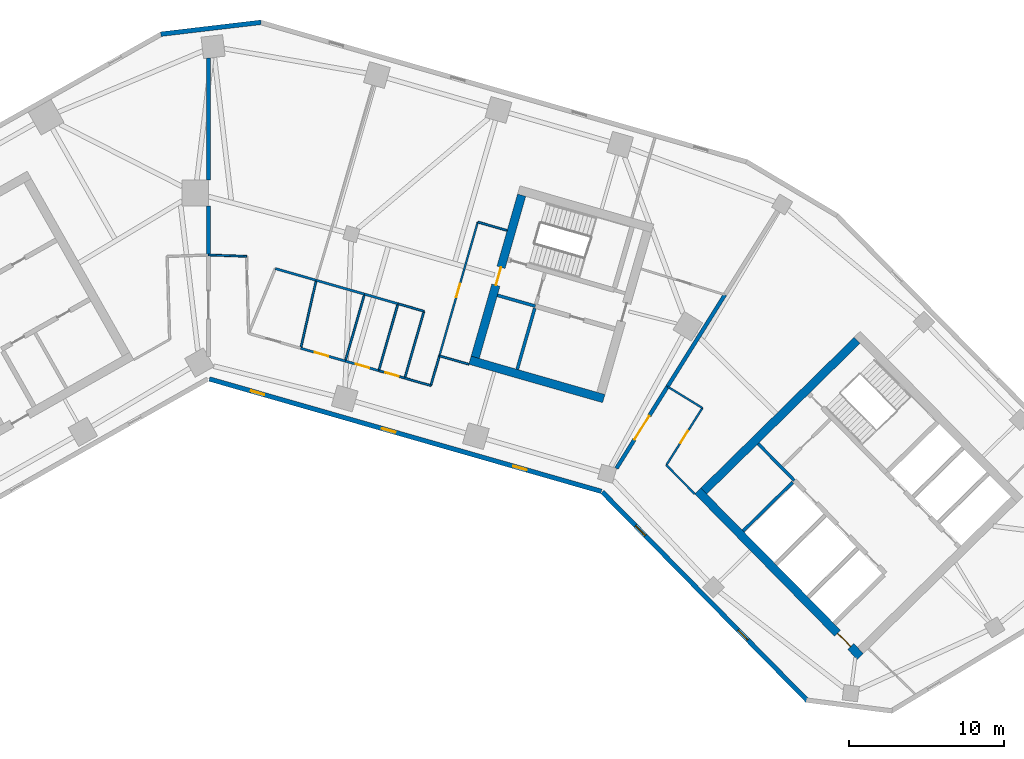
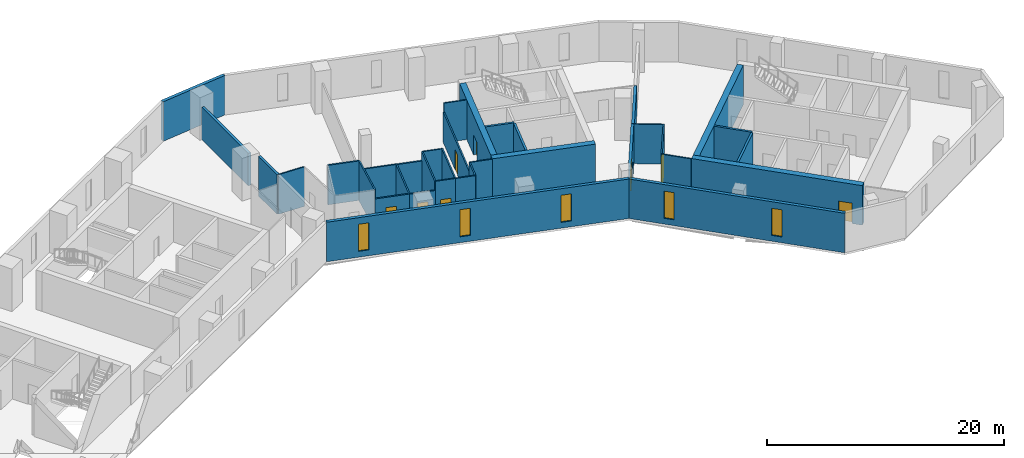
# One storey, part 5 of 10: 35 walls, 8 doors, 5 windows, 13 openings.
"""IFC4 building model written with IfcOpenShell, lengths in metres."""

from ifc_helpers import new_model, si_unit, direction, frame, frame_2d, origin, place, context, subcontext, project, spatial, rectangle, extrude, material, layer, layer_set, type_object, element, fill, save


model = new_model("IFC4")

# Units and contexts
model_context = context("Model", 3, precision=1e-05, world=origin(), true_north=direction((0.0, 1.0)))
body_context = subcontext(model_context, "Body", "Model", "MODEL_VIEW")
ifc_project = project(units=[si_unit("LENGTHUNIT", "METRE"), si_unit("AREAUNIT", "SQUARE_METRE"), si_unit("VOLUMEUNIT", "CUBIC_METRE"), si_unit("PLANEANGLEUNIT", "RADIAN"), si_unit("MASSUNIT", "GRAM", prefix="KILO")], contexts=[model_context])

# Site, building, storey
site_placement = place(None, origin())
site = spatial("IfcSite", under=ifc_project, at=site_placement, CompositionType="ELEMENT")
building_placement = place(site_placement, origin())
building = spatial("IfcBuilding", under=site, at=building_placement, Name="Binnacle Exchange Tower", CompositionType="ELEMENT")
storey_placement = place(building_placement, frame((0.0, 0.0, 119.10009765625)))
storey = spatial("IfcBuildingStorey", under=building, at=storey_placement, Name="L24", CompositionType="ELEMENT", Elevation=119.10009765625)

# Wall, opening, door
ifc_material_1 = material(Name="Concrete C70/85", Category="concrete")
ifc_layer_1 = layer(ifc_material_1, 0.550048828125)
ifc_layer_set_1 = layer_set([ifc_layer_1], Name="Core wall - outer 550")
wall_type_1 = type_object("IfcWallType", Name="Core wall - outer 550", PredefinedType="SOLIDWALL", material=ifc_layer_set_1)
wall_1_placement = place(storey_placement, frame((31.627685546875, 40.7451171875, 0.0), z_axis=(0.0, 0.0, 1.0), x_axis=(0.700911255944, -0.713248491965, 0.0)))
wall_1 = element("IfcWall", 1, at=wall_1_placement, inside=storey, type_object=wall_type_1, Name="Core wall CRWB1", PredefinedType="SOLIDWALL", context=body_context, shape_type="SweptSolid", body=[
    extrude(rectangle(XDim=15.0, YDim=0.550048828125, at=frame_2d((7.5, 0.0))), origin(), (0.0, 0.0, 1.0), 4.079833984375),
])
opening_1_placement = place(wall_1_placement, frame((12.89990234375, 0.0, 0.0)))
opening_1 = element("IfcOpeningElement", 2, at=opening_1_placement, cuts=wall_1, Name="Opening DB7", PredefinedType="OPENING", context=body_context, shape_type="SweptSolid", body=[
    extrude(rectangle(XDim=1.199951171875, YDim=2.10009765625, at=frame_2d((0.60009765625, 1.050048828125))), frame((0.0, 0.284912109375, 0.0), z_axis=(0.0, -1.0, 0.0), x_axis=(1.0, 0.0, 0.0)), (0.0, 0.0, 1.0), 0.570068359375),
])
ifc_material_2 = material(Name="Steel door leaf", Category="steel")
door_type_1 = type_object("IfcDoorType", Name="Fire door 1200", OperationType="NOTDEFINED", PredefinedType="DOOR", material=ifc_material_2)
door_1_placement = place(opening_1_placement, frame((1.199951171875, 0.0, 0.0), z_axis=(0.0, 0.0, 1.0), x_axis=(-1.0, 0.0, 0.0)))
door_1 = element("IfcDoor", 3, at=door_1_placement, inside=storey, type_object=door_type_1, Name="Lift lobby entrance door core B", OperationType="SINGLE_SWING_LEFT", OverallHeight=2.10009765625, OverallWidth=1.199951171875, PredefinedType="DOOR", context=body_context, shape_type="SweptSolid", body=[
    extrude(rectangle(XDim=1.199951171875, YDim=2.10009765625, at=frame_2d((0.60009765625, 1.050048828125))), frame((0.0, 0.02490234375, 0.0), z_axis=(0.0, -1.0, 0.0), x_axis=(1.0, 0.0, 0.0)), (0.0, 0.0, 1.0), 0.050048828125),
])
fill(opening_1, door_1)

# Walls
wall_2_placement = place(storey_placement, frame((32.0166015625, 40.74169921875, 0.0), z_axis=(0.0, 0.0, 1.0), x_axis=(0.713253550094, 0.700906108746, 0.0)))
element("IfcWall", 4, at=wall_2_placement, inside=storey, type_object=wall_type_1, Name="Core wall CRWB7", PredefinedType="SOLIDWALL", context=body_context, shape_type="SweptSolid", body=[
    extrude(rectangle(XDim=13.900146484375, YDim=0.550048828125, at=frame_2d((6.9501953125, 0.0))), origin(), (0.0, 0.0, 1.0), 4.079833984375),
])
wall_3_placement = place(storey_placement, frame((16.90380859375, 49.197265625, 0.0), z_axis=(0.0, 0.0, 1.0), x_axis=(0.96126248289, -0.275634611374, 0.0)))
element("IfcWall", 5, at=wall_3_placement, inside=storey, type_object=wall_type_1, Name="Core wall CRWD1", PredefinedType="SOLIDWALL", context=body_context, shape_type="SweptSolid", body=[
    extrude(rectangle(XDim=9.0, YDim=0.550048828125, at=frame_2d((4.5, 0.0))), origin(), (0.0, 0.0, 1.0), 4.079833984375),
])

# Wall, opening, door
wall_4_placement = place(storey_placement, frame((17.243896484375, 49.3857421875, 0.0), z_axis=(0.0, 0.0, 1.0), x_axis=(0.275632146085, 0.96126318979, 0.0)))
wall_4 = element("IfcWall", 6, at=wall_4_placement, inside=storey, type_object=wall_type_1, Name="Core wall CRWD7", PredefinedType="SOLIDWALL", context=body_context, shape_type="SweptSolid", body=[
    extrude(rectangle(XDim=10.89990234375, YDim=0.550048828125, at=frame_2d((5.449951171875, 0.0))), origin(), (0.0, 0.0, 1.0), 4.079833984375),
])
opening_2_placement = place(wall_4_placement, frame((4.85009765625, 0.0, 0.0)))
opening_2 = element("IfcOpeningElement", 7, at=opening_2_placement, cuts=wall_4, Name="Opening DD5", PredefinedType="OPENING", context=body_context, shape_type="SweptSolid", body=[
    extrude(rectangle(XDim=1.199951171875, YDim=2.10009765625, at=frame_2d((0.60009765625, 1.050048828125))), frame((0.0, 0.284912109375, 0.0), z_axis=(0.0, -1.0, 0.0), x_axis=(1.0, 0.0, 0.0)), (0.0, 0.0, 1.0), 0.570068359375),
])
door_2_placement = place(opening_2_placement, origin())
door_2 = element("IfcDoor", 8, at=door_2_placement, inside=storey, type_object=door_type_1, Name="Vestibule exit door VEST-W", OperationType="SINGLE_SWING_RIGHT", OverallHeight=2.10009765625, OverallWidth=1.199951171875, PredefinedType="DOOR", context=body_context, shape_type="SweptSolid", body=[
    extrude(rectangle(XDim=1.199951171875, YDim=2.10009765625, at=frame_2d((0.60009765625, 1.050048828125))), frame((0.0, 0.02490234375, 0.0), z_axis=(0.0, -1.0, 0.0), x_axis=(1.0, 0.0, 0.0)), (0.0, 0.0, 1.0), 0.050048828125),
])
fill(opening_2, door_2)

# Wall
ifc_material_3 = material(Name="Bronze aluminium cladding", Category="aluminium")
ifc_layer_2 = layer(ifc_material_3, 0.300048828125)
ifc_layer_set_2 = layer_set([ifc_layer_2], Name="External wall - spandrel 300")
wall_type_2 = type_object("IfcWallType", Name="External wall - spandrel 300", PredefinedType="STANDARD", material=ifc_layer_set_2)
wall_5_placement = place(storey_placement, frame((-3.076171875, 70.27294921875, 0.0), z_axis=(0.0, 0.0, 1.0), x_axis=(0.993067743007, 0.117543429416, 0.0)))
element("IfcWall", 9, at=wall_5_placement, inside=storey, type_object=wall_type_2, Name="External wall EW-F02 L24", PredefinedType="STANDARD", context=body_context, shape_type="SweptSolid", body=[
    extrude(rectangle(XDim=6.515625, YDim=0.300048828125, at=frame_2d((3.2578125, 0.0))), origin(), (0.0, 0.0, 1.0), 4.079833984375),
])

# Wall, openings, windows
wall_6_placement = place(storey_placement, frame((25.398193359375, 40.71728515625, 0.0), z_axis=(0.0, 0.0, 1.0), x_axis=(-0.961262423262, 0.275634819324, 0.0)))
wall_6 = element("IfcWall", 10, at=wall_6_placement, inside=storey, type_object=wall_type_2, Name="External wall EW-F08 L24", PredefinedType="STANDARD", context=body_context, shape_type="SweptSolid", body=[
    extrude(rectangle(XDim=26.358642578125, YDim=0.300048828125, at=frame_2d((13.17919921875, 0.0))), origin(), (0.0, 0.0, 1.0), 4.079833984375),
])
opening_3_placement = place(wall_6_placement, frame((22.6640625, 0.0, 0.60009765625)))
opening_3 = element("IfcOpeningElement", 11, at=opening_3_placement, cuts=wall_6, Name="Opening WS2", PredefinedType="OPENING", context=body_context, shape_type="SweptSolid", body=[
    extrude(rectangle(XDim=0.89990234375, YDim=2.800048828125, at=frame_2d((0.449951171875, 1.39990234375))), frame((0.0, 0.159912109375, 0.0), z_axis=(0.0, -1.0, 0.0), x_axis=(1.0, 0.0, 0.0)), (0.0, 0.0, 1.0), 0.320068359375),
])
opening_4_placement = place(wall_6_placement, frame((13.843505859375, 0.0, 0.60009765625)))
opening_4 = element("IfcOpeningElement", 12, at=opening_4_placement, cuts=wall_6, Name="Opening WS2", PredefinedType="OPENING", context=body_context, shape_type="SweptSolid", body=[
    extrude(rectangle(XDim=0.89990234375, YDim=2.800048828125, at=frame_2d((0.449951171875, 1.39990234375))), frame((0.0, 0.159912109375, 0.0), z_axis=(0.0, -1.0, 0.0), x_axis=(1.0, 0.0, 0.0)), (0.0, 0.0, 1.0), 0.320068359375),
])
opening_5_placement = place(wall_6_placement, frame((5.023193359375, 0.0, 0.60009765625)))
opening_5 = element("IfcOpeningElement", 13, at=opening_5_placement, cuts=wall_6, Name="Opening WS2", PredefinedType="OPENING", context=body_context, shape_type="SweptSolid", body=[
    extrude(rectangle(XDim=0.89990234375, YDim=2.800048828125, at=frame_2d((0.449951171875, 1.39990234375))), frame((0.0, 0.159912109375, 0.0), z_axis=(0.0, -1.0, 0.0), x_axis=(1.0, 0.0, 0.0)), (0.0, 0.0, 1.0), 0.320068359375),
])
ifc_material_4 = material(Name="Bronze anodised aluminium frame", Category="aluminium")
window_type = type_object("IfcWindowType", Name="WS2 WINDOW 900x2800", PartitioningType="SINGLE_PANEL", PredefinedType="WINDOW", material=ifc_material_4)
window_1_placement = place(opening_3_placement, origin())
window_1 = element("IfcWindow", 14, at=window_1_placement, inside=storey, type_object=window_type, Name="Window WS2 L24", OverallHeight=2.800048828125, OverallWidth=0.89990234375, PartitioningType="SINGLE_PANEL", PredefinedType="WINDOW", context=body_context, shape_type="SweptSolid", body=[
    extrude(rectangle(XDim=0.89990234375, YDim=2.800048828125, at=frame_2d((0.449951171875, 1.39990234375))), frame((0.0, 0.030029296875, 0.0), z_axis=(0.0, -1.0, 0.0), x_axis=(1.0, 0.0, 0.0)), (0.0, 0.0, 1.0), 0.06005859375),
])
fill(opening_3, window_1)
window_2_placement = place(opening_4_placement, origin())
window_2 = element("IfcWindow", 15, at=window_2_placement, inside=storey, type_object=window_type, Name="Window WS2 L24", OverallHeight=2.800048828125, OverallWidth=0.89990234375, PartitioningType="SINGLE_PANEL", PredefinedType="WINDOW", context=body_context, shape_type="SweptSolid", body=[
    extrude(rectangle(XDim=0.89990234375, YDim=2.800048828125, at=frame_2d((0.449951171875, 1.39990234375))), frame((0.0, 0.030029296875, 0.0), z_axis=(0.0, -1.0, 0.0), x_axis=(1.0, 0.0, 0.0)), (0.0, 0.0, 1.0), 0.06005859375),
])
fill(opening_4, window_2)
window_3_placement = place(opening_5_placement, origin())
window_3 = element("IfcWindow", 16, at=window_3_placement, inside=storey, type_object=window_type, Name="Window WS2 L24", OverallHeight=2.800048828125, OverallWidth=0.89990234375, PartitioningType="SINGLE_PANEL", PredefinedType="WINDOW", context=body_context, shape_type="SweptSolid", body=[
    extrude(rectangle(XDim=0.89990234375, YDim=2.800048828125, at=frame_2d((0.449951171875, 1.39990234375))), frame((0.0, 0.030029296875, 0.0), z_axis=(0.0, -1.0, 0.0), x_axis=(1.0, 0.0, 0.0)), (0.0, 0.0, 1.0), 0.06005859375),
])
fill(opening_5, window_3)

wall_7_placement = place(storey_placement, frame((38.727294921875, 27.18115234375, 0.0), z_axis=(0.0, 0.0, 1.0), x_axis=(-0.700906405975, 0.713253258011, 0.0)))
wall_7 = element("IfcWall", 17, at=wall_7_placement, inside=storey, type_object=wall_type_2, Name="External wall EW-F09 L24", PredefinedType="STANDARD", context=body_context, shape_type="SweptSolid", body=[
    extrude(rectangle(XDim=18.92333984375, YDim=0.300048828125, at=frame_2d((9.461669921875, 0.0))), origin(), (0.0, 0.0, 1.0), 4.079833984375),
])
opening_6_placement = place(wall_7_placement, frame((14.967041015625, 0.0, 0.60009765625)))
opening_6 = element("IfcOpeningElement", 18, at=opening_6_placement, cuts=wall_7, Name="Opening WS2", PredefinedType="OPENING", context=body_context, shape_type="SweptSolid", body=[
    extrude(rectangle(XDim=0.89990234375, YDim=2.800048828125, at=frame_2d((0.449951171875, 1.39990234375))), frame((0.0, 0.159912109375, 0.0), z_axis=(0.0, -1.0, 0.0), x_axis=(1.0, 0.0, 0.0)), (0.0, 0.0, 1.0), 0.320068359375),
])
opening_7_placement = place(wall_7_placement, frame((5.51171875, 0.0, 0.60009765625)))
opening_7 = element("IfcOpeningElement", 19, at=opening_7_placement, cuts=wall_7, Name="Opening WS2", PredefinedType="OPENING", context=body_context, shape_type="SweptSolid", body=[
    extrude(rectangle(XDim=0.89990234375, YDim=2.800048828125, at=frame_2d((0.449951171875, 1.39990234375))), frame((0.0, 0.159912109375, 0.0), z_axis=(0.0, -1.0, 0.0), x_axis=(1.0, 0.0, 0.0)), (0.0, 0.0, 1.0), 0.320068359375),
])
window_4_placement = place(opening_6_placement, origin())
window_4 = element("IfcWindow", 20, at=window_4_placement, inside=storey, type_object=window_type, Name="Window WS2 L24", OverallHeight=2.800048828125, OverallWidth=0.89990234375, PartitioningType="SINGLE_PANEL", PredefinedType="WINDOW", context=body_context, shape_type="SweptSolid", body=[
    extrude(rectangle(XDim=0.89990234375, YDim=2.800048828125, at=frame_2d((0.449951171875, 1.39990234375))), frame((0.0, 0.030029296875, 0.0), z_axis=(0.0, -1.0, 0.0), x_axis=(1.0, 0.0, 0.0)), (0.0, 0.0, 1.0), 0.06005859375),
])
fill(opening_6, window_4)
window_5_placement = place(opening_7_placement, origin())
window_5 = element("IfcWindow", 21, at=window_5_placement, inside=storey, type_object=window_type, Name="Window WS2 L24", OverallHeight=2.800048828125, OverallWidth=0.89990234375, PartitioningType="SINGLE_PANEL", PredefinedType="WINDOW", context=body_context, shape_type="SweptSolid", body=[
    extrude(rectangle(XDim=0.89990234375, YDim=2.800048828125, at=frame_2d((0.449951171875, 1.39990234375))), frame((0.0, 0.030029296875, 0.0), z_axis=(0.0, -1.0, 0.0), x_axis=(1.0, 0.0, 0.0)), (0.0, 0.0, 1.0), 0.06005859375),
])
fill(opening_7, window_5)

# Walls
ifc_material_5 = material(Name="Concrete fire wall C30/37", Category="concrete")
ifc_layer_3 = layer(ifc_material_5, 0.25)
ifc_layer_set_3 = layer_set([ifc_layer_3], Name="Fire wall - compartment 250")
wall_type_3 = type_object("IfcWallType", Name="Fire wall - compartment 250", PredefinedType="PARTITIONING", material=ifc_layer_set_3)
wall_8_placement = place(storey_placement, frame((0.0, 56.0, 0.0), z_axis=(0.0, 0.0, 1.0), x_axis=(0.0, 1.0, 0.0)))
element("IfcWall", 22, at=wall_8_placement, inside=storey, type_object=wall_type_3, Name="Fire Wall W09", PredefinedType="PARTITIONING", context=body_context, shape_type="SweptSolid", body=[
    extrude(rectangle(XDim=3.14990234375, YDim=0.25, at=frame_2d((1.574951171875, 0.0))), origin(), (0.0, 0.0, 1.0), 4.079833984375),
])
wall_9_placement = place(storey_placement, frame((0.0, 60.85009765625, 0.0), z_axis=(0.0, 0.0, 1.0), x_axis=(0.0, 1.0, 0.0)))
element("IfcWall", 23, at=wall_9_placement, inside=storey, type_object=wall_type_3, Name="Fire Wall W11", PredefinedType="PARTITIONING", context=body_context, shape_type="SweptSolid", body=[
    extrude(rectangle(XDim=7.8740234375, YDim=0.25, at=frame_2d((3.93701171875, 0.0))), origin(), (0.0, 0.0, 1.0), 3.351806640625),
])

# Wall, opening, door
wall_10_placement = place(storey_placement, frame((26.373046875, 42.2060546875, 0.0), z_axis=(0.0, 0.0, 1.0), x_axis=(0.52987567935, 0.848075329457, 0.0)))
wall_10 = element("IfcWall", 24, at=wall_10_placement, inside=storey, type_object=wall_type_3, Name="Fire Wall W32", PredefinedType="PARTITIONING", context=body_context, shape_type="SweptSolid", body=[
    extrude(rectangle(XDim=6.231689453125, YDim=0.25, at=frame_2d((3.11572265625, 0.0))), origin(), (0.0, 0.0, 1.0), 4.079833984375),
])
opening_8_placement = place(wall_10_placement, frame((2.199951171875, 0.0, 0.0)))
opening_8 = element("IfcOpeningElement", 25, at=opening_8_placement, cuts=wall_10, Name="Opening DL22-13", PredefinedType="OPENING", context=body_context, shape_type="SweptSolid", body=[
    extrude(rectangle(XDim=1.800048828125, YDim=2.10009765625, at=frame_2d((0.89990234375, 1.050048828125))), frame((0.0, 0.135009765625, 0.0), z_axis=(0.0, -1.0, 0.0), x_axis=(1.0, 0.0, 0.0)), (0.0, 0.0, 1.0), 0.27001953125),
])
door_type_2 = type_object("IfcDoorType", Name="Fire door 1800", OperationType="NOTDEFINED", PredefinedType="DOOR", material=ifc_material_2)
door_3_placement = place(opening_8_placement, origin())
door_3 = element("IfcDoor", 26, at=door_3_placement, inside=storey, type_object=door_type_2, Name="Door DL22-13", OperationType="DOUBLE_DOOR_SINGLE_SWING", OverallHeight=2.10009765625, OverallWidth=1.800048828125, PredefinedType="DOOR", context=body_context, shape_type="SweptSolid", body=[
    extrude(rectangle(XDim=1.800048828125, YDim=2.10009765625, at=frame_2d((0.89990234375, 1.050048828125))), frame((0.0, 0.02490234375, 0.0), z_axis=(0.0, -1.0, 0.0), x_axis=(1.0, 0.0, 0.0)), (0.0, 0.0, 1.0), 0.050048828125),
])
fill(opening_8, door_3)

# Walls
wall_11_placement = place(storey_placement, frame((29.675048828125, 47.490966796875, 0.0), z_axis=(0.0, 0.0, 1.0), x_axis=(0.529992669945, 0.848002222759, 0.0)))
element("IfcWall", 27, at=wall_11_placement, inside=storey, type_object=wall_type_3, Name="Fire Wall W38", PredefinedType="PARTITIONING", context=body_context, shape_type="SweptSolid", body=[
    extrude(rectangle(XDim=7.0, YDim=0.25, at=frame_2d((3.5, 0.0))), origin(), (0.0, 0.0, 1.0), 3.141845703125),
])
ifc_material_6 = material(Name="Gypsum partition fire rated")
ifc_layer_4 = layer(ifc_material_6, 0.14990234375)
ifc_layer_set_4 = layer_set([ifc_layer_4], Name="Fire-rated partition 150")
wall_type_4 = type_object("IfcWallType", Name="Fire-rated partition 150", PredefinedType="PARTITIONING", material=ifc_layer_set_4)
wall_12_placement = place(storey_placement, frame((4.322021484375, 55.1201171875, 0.0), z_axis=(0.0, 0.0, 1.0), x_axis=(0.961272337704, -0.275600240865, 0.0)))
element("IfcWall", 28, at=wall_12_placement, inside=storey, type_object=wall_type_4, Name="Partition W15", PredefinedType="PARTITIONING", context=body_context, shape_type="SweptSolid", body=[
    extrude(rectangle(XDim=2.75048828125, YDim=0.14990234375, at=frame_2d((1.375244140625, 0.0))), origin(), (0.0, 0.0, 1.0), 4.079833984375),
])

# Wall, opening, door
wall_13_placement = place(storey_placement, frame((5.966064453125, 49.967041015625, 0.0), z_axis=(0.0, 0.0, 1.0), x_axis=(0.961222353496, -0.275774522283, 0.0)))
wall_13 = element("IfcWall", 29, at=wall_13_placement, inside=storey, type_object=wall_type_4, Name="Partition W17", PredefinedType="PARTITIONING", context=body_context, shape_type="SweptSolid", body=[
    extrude(rectangle(XDim=2.999267578125, YDim=0.14990234375, at=frame_2d((1.49951171875, 0.0))), origin(), (0.0, 0.0, 1.0), 3.159912109375),
])
opening_9_placement = place(wall_13_placement, frame((0.949951171875, 0.0, 0.0)))
opening_9 = element("IfcOpeningElement", 30, at=opening_9_placement, cuts=wall_13, Name="Opening DL22-04", PredefinedType="OPENING", context=body_context, shape_type="SweptSolid", body=[
    extrude(rectangle(XDim=0.89990234375, YDim=2.10009765625, at=frame_2d((0.449951171875, 1.050048828125))), frame((0.0, 0.0849609375, 0.0), z_axis=(0.0, -1.0, 0.0), x_axis=(1.0, 0.0, 0.0)), (0.0, 0.0, 1.0), 0.169921875),
])
door_type_3 = type_object("IfcDoorType", Name="Fire door 900", OperationType="NOTDEFINED", PredefinedType="DOOR", material=ifc_material_2)
door_4_placement = place(opening_9_placement, origin())
door_4 = element("IfcDoor", 31, at=door_4_placement, inside=storey, type_object=door_type_3, Name="Door DL22-04", OperationType="SINGLE_SWING_LEFT", OverallHeight=2.10009765625, OverallWidth=0.89990234375, PredefinedType="DOOR", context=body_context, shape_type="SweptSolid", body=[
    extrude(rectangle(XDim=0.89990234375, YDim=2.10009765625, at=frame_2d((0.449951171875, 1.050048828125))), frame((0.0, 0.02490234375, 0.0), z_axis=(0.0, -1.0, 0.0), x_axis=(1.0, 0.0, 0.0)), (0.0, 0.0, 1.0), 0.050048828125),
])
fill(opening_9, door_4)

# Wall
wall_14_placement = place(storey_placement, frame((6.966064453125, 54.362060546875, 0.0), z_axis=(0.0, 0.0, 1.0), x_axis=(0.961245650832, -0.275693305607, 0.0)))
element("IfcWall", 32, at=wall_14_placement, inside=storey, type_object=wall_type_4, Name="Partition W18", PredefinedType="PARTITIONING", context=body_context, shape_type="SweptSolid", body=[
    extrude(rectangle(XDim=3.25, YDim=0.14990234375, at=frame_2d((1.625, 0.0))), origin(), (0.0, 0.0, 1.0), 3.159912109375),
])

# Wall, opening, door
wall_15_placement = place(storey_placement, frame((8.84912109375, 49.139892578125, 0.0), z_axis=(0.0, 0.0, 1.0), x_axis=(0.961298413165, -0.275509275429, 0.0)))
wall_15 = element("IfcWall", 33, at=wall_15_placement, inside=storey, type_object=wall_type_4, Name="Partition W21", PredefinedType="PARTITIONING", context=body_context, shape_type="SweptSolid", body=[
    extrude(rectangle(XDim=2.25, YDim=0.14990234375, at=frame_2d((1.125, 0.0))), origin(), (0.0, 0.0, 1.0), 3.141845703125),
])
opening_10_placement = place(wall_15_placement, frame((0.699951171875, 0.0, 0.0)))
opening_10 = element("IfcOpeningElement", 34, at=opening_10_placement, cuts=wall_15, Name="Opening DL22-05", PredefinedType="OPENING", context=body_context, shape_type="SweptSolid", body=[
    extrude(rectangle(XDim=0.89990234375, YDim=2.10009765625, at=frame_2d((0.449951171875, 1.050048828125))), frame((0.0, 0.0849609375, 0.0), z_axis=(0.0, -1.0, 0.0), x_axis=(1.0, 0.0, 0.0)), (0.0, 0.0, 1.0), 0.169921875),
])
door_5_placement = place(opening_10_placement, origin())
door_5 = element("IfcDoor", 35, at=door_5_placement, inside=storey, type_object=door_type_3, Name="Door DL22-05", OperationType="SINGLE_SWING_RIGHT", OverallHeight=2.10009765625, OverallWidth=0.89990234375, PredefinedType="DOOR", context=body_context, shape_type="SweptSolid", body=[
    extrude(rectangle(XDim=0.89990234375, YDim=2.10009765625, at=frame_2d((0.449951171875, 1.050048828125))), frame((0.0, 0.02490234375, 0.0), z_axis=(0.0, -1.0, 0.0), x_axis=(1.0, 0.0, 0.0)), (0.0, 0.0, 1.0), 0.050048828125),
])
fill(opening_10, door_5)

# Walls
wall_16_placement = place(storey_placement, frame((10.090087890625, 53.466064453125, 0.0), z_axis=(0.0, 0.0, 1.0), x_axis=(0.961269670038, -0.275609545309, 0.0)))
element("IfcWall", 36, at=wall_16_placement, inside=storey, type_object=wall_type_4, Name="Partition W22", PredefinedType="PARTITIONING", context=body_context, shape_type="SweptSolid", body=[
    extrude(rectangle(XDim=2.25, YDim=0.14990234375, at=frame_2d((1.125, 0.0))), origin(), (0.0, 0.0, 1.0), 3.141845703125),
])
ifc_material_7 = material(Name="Gypsum partition")
ifc_layer_5 = layer(ifc_material_7, 0.125)
ifc_layer_set_5 = layer_set([ifc_layer_5], Name="Partition 125")
wall_type_5 = type_object("IfcWallType", Name="Partition 125", PredefinedType="PARTITIONING", material=ifc_layer_set_5)
wall_17_placement = place(storey_placement, frame((0.0, 56.0, 0.0), z_axis=(0.0, 0.0, 1.0), x_axis=(0.999349313684, -0.036068673934, 0.0)))
element("IfcWall", 37, at=wall_17_placement, inside=storey, type_object=wall_type_5, Name="Partition W10", PredefinedType="PARTITIONING", context=body_context, shape_type="SweptSolid", body=[
    extrude(rectangle(XDim=2.470703125, YDim=0.125, at=frame_2d((1.2353515625, 0.0))), origin(), (0.0, 0.0, 1.0), 4.079833984375),
])
wall_18_placement = place(storey_placement, frame((5.966064453125, 49.967041015625, 0.0), z_axis=(0.0, 0.0, 1.0), x_axis=(0.221859891223, 0.975078555126, 0.0)))
element("IfcWall", 38, at=wall_18_placement, inside=storey, type_object=wall_type_5, Name="Partition W16", PredefinedType="PARTITIONING", context=body_context, shape_type="SweptSolid", body=[
    extrude(rectangle(XDim=4.50732421875, YDim=0.125, at=frame_2d((2.253662109375, 0.0))), origin(), (0.0, 0.0, 1.0), 4.079833984375),
])
wall_19_placement = place(storey_placement, frame((8.84912109375, 49.139892578125, 0.0), z_axis=(0.0, 0.0, 1.0), x_axis=(0.275731175537, 0.961234788612, 0.0)))
element("IfcWall", 39, at=wall_19_placement, inside=storey, type_object=wall_type_5, Name="Partition W20", PredefinedType="PARTITIONING", context=body_context, shape_type="SweptSolid", body=[
    extrude(rectangle(XDim=4.500732421875, YDim=0.125, at=frame_2d((2.25048828125, 0.0))), origin(), (0.0, 0.0, 1.0), 3.159912109375),
])
wall_20_placement = place(storey_placement, frame((11.011962890625, 48.52001953125, 0.0), z_axis=(0.0, 0.0, 1.0), x_axis=(0.275745553681, 0.96123066411, 0.0)))
element("IfcWall", 40, at=wall_20_placement, inside=storey, type_object=wall_type_5, Name="Partition W23", PredefinedType="PARTITIONING", context=body_context, shape_type="SweptSolid", body=[
    extrude(rectangle(XDim=4.50048828125, YDim=0.125, at=frame_2d((2.250244140625, 0.0))), origin(), (0.0, 0.0, 1.0), 4.079833984375),
])

# Wall, opening, door
wall_21_placement = place(storey_placement, frame((11.011962890625, 48.52001953125, 0.0), z_axis=(0.0, 0.0, 1.0), x_axis=(0.961323619822, -0.275421309946, 0.0)))
wall_21 = element("IfcWall", 41, at=wall_21_placement, inside=storey, type_object=wall_type_5, Name="Partition W24", PredefinedType="PARTITIONING", context=body_context, shape_type="SweptSolid", body=[
    extrude(rectangle(XDim=1.749755859375, YDim=0.125, at=frame_2d((0.875, 0.0))), origin(), (0.0, 0.0, 1.0), 4.079833984375),
])
opening_11_placement = place(wall_21_placement, frame((0.449951171875, 0.0, 0.0)))
opening_11 = element("IfcOpeningElement", 42, at=opening_11_placement, cuts=wall_21, Name="Opening DL22-06", PredefinedType="OPENING", context=body_context, shape_type="SweptSolid", body=[
    extrude(rectangle(XDim=0.89990234375, YDim=2.10009765625, at=frame_2d((0.449951171875, 1.050048828125))), frame((0.0, 0.072509765625, 0.0), z_axis=(0.0, -1.0, 0.0), x_axis=(1.0, 0.0, 0.0)), (0.0, 0.0, 1.0), 0.14501953125),
])
ifc_material_8 = material(Name="Timber door leaf", Category="wood")
door_type_4 = type_object("IfcDoorType", Name="Door 900", OperationType="NOTDEFINED", PredefinedType="DOOR", material=ifc_material_8)
door_6_placement = place(opening_11_placement, origin())
door_6 = element("IfcDoor", 43, at=door_6_placement, inside=storey, type_object=door_type_4, Name="Door DL22-06", OperationType="SINGLE_SWING_RIGHT", OverallHeight=2.10009765625, OverallWidth=0.89990234375, PredefinedType="DOOR", context=body_context, shape_type="SweptSolid", body=[
    extrude(rectangle(XDim=0.89990234375, YDim=2.10009765625, at=frame_2d((0.449951171875, 1.050048828125))), frame((0.0, 0.02490234375, 0.0), z_axis=(0.0, -1.0, 0.0), x_axis=(1.0, 0.0, 0.0)), (0.0, 0.0, 1.0), 0.050048828125),
])
fill(opening_11, door_6)

# Walls
wall_22_placement = place(storey_placement, frame((12.2529296875, 52.845947265625, 0.0), z_axis=(0.0, 0.0, 1.0), x_axis=(0.961175737212, -0.275936953296, 0.0)))
element("IfcWall", 44, at=wall_22_placement, inside=storey, type_object=wall_type_5, Name="Partition W25", PredefinedType="PARTITIONING", context=body_context, shape_type="SweptSolid", body=[
    extrude(rectangle(XDim=1.75, YDim=0.125, at=frame_2d((0.875, 0.0))), origin(), (0.0, 0.0, 1.0), 4.079833984375),
])
wall_23_placement = place(storey_placement, frame((12.694091796875, 48.0380859375, 0.0), z_axis=(0.0, 0.0, 1.0), x_axis=(0.275803080638, 0.96121415965, 0.0)))
element("IfcWall", 45, at=wall_23_placement, inside=storey, type_object=wall_type_5, Name="Partition W26", PredefinedType="PARTITIONING", context=body_context, shape_type="SweptSolid", body=[
    extrude(rectangle(XDim=4.49951171875, YDim=0.125, at=frame_2d((2.249755859375, 0.0))), origin(), (0.0, 0.0, 1.0), 4.079833984375),
])
wall_24_placement = place(storey_placement, frame((12.694091796875, 48.0380859375, 0.0), z_axis=(0.0, 0.0, 1.0), x_axis=(0.961170605556, -0.275954827854, 0.0)))
element("IfcWall", 46, at=wall_24_placement, inside=storey, type_object=wall_type_5, Name="Partition W27", PredefinedType="PARTITIONING", context=body_context, shape_type="SweptSolid", body=[
    extrude(rectangle(XDim=1.750732421875, YDim=0.125, at=frame_2d((0.87548828125, 0.0))), origin(), (0.0, 0.0, 1.0), 4.079833984375),
])
wall_25_placement = place(storey_placement, frame((14.376953125, 47.554931640625, 0.0), z_axis=(0.0, 0.0, 1.0), x_axis=(0.275446387355, 0.961316434736, 0.0)))
element("IfcWall", 47, at=wall_25_placement, inside=storey, type_object=wall_type_5, Name="Partition W28", PredefinedType="PARTITIONING", context=body_context, shape_type="SweptSolid", body=[
    extrude(rectangle(XDim=2.00048828125, YDim=0.125, at=frame_2d((1.000244140625, 0.0))), origin(), (0.0, 0.0, 1.0), 4.079833984375),
])
wall_26_placement = place(storey_placement, frame((14.927978515625, 49.47802734375, 0.0), z_axis=(0.0, 0.0, 1.0), x_axis=(0.961243778232, -0.27569983462, 0.0)))
element("IfcWall", 48, at=wall_26_placement, inside=storey, type_object=wall_type_5, Name="Partition W29", PredefinedType="PARTITIONING", context=body_context, shape_type="SweptSolid", body=[
    extrude(rectangle(XDim=1.9765625, YDim=0.125, at=frame_2d((0.98828125, 0.0))), origin(), (0.0, 0.0, 1.0), 4.079833984375),
])

# Wall, opening, door
wall_27_placement = place(storey_placement, frame((14.927978515625, 49.47802734375, 0.0), z_axis=(0.0, 0.0, 1.0), x_axis=(0.275674053528, 0.961251172281, 0.0)))
wall_27 = element("IfcWall", 49, at=wall_27_placement, inside=storey, type_object=wall_type_5, Name="Partition W30", PredefinedType="PARTITIONING", context=body_context, shape_type="SweptSolid", body=[
    extrude(rectangle(XDim=8.99951171875, YDim=0.125, at=frame_2d((4.499755859375, 0.0))), origin(), (0.0, 0.0, 1.0), 3.141845703125),
])
opening_12_placement = place(wall_27_placement, frame((3.949951171875, 0.0, 0.0)))
opening_12 = element("IfcOpeningElement", 50, at=opening_12_placement, cuts=wall_27, Name="Opening DL22-08", PredefinedType="OPENING", context=body_context, shape_type="SweptSolid", body=[
    extrude(rectangle(XDim=0.89990234375, YDim=2.10009765625, at=frame_2d((0.449951171875, 1.050048828125))), frame((0.0, 0.072509765625, 0.0), z_axis=(0.0, -1.0, 0.0), x_axis=(1.0, 0.0, 0.0)), (0.0, 0.0, 1.0), 0.14501953125),
])
door_7_placement = place(opening_12_placement, origin())
door_7 = element("IfcDoor", 51, at=door_7_placement, inside=storey, type_object=door_type_4, Name="Door DL22-08", OperationType="SINGLE_SWING_LEFT", OverallHeight=2.10009765625, OverallWidth=0.89990234375, PredefinedType="DOOR", context=body_context, shape_type="SweptSolid", body=[
    extrude(rectangle(XDim=0.89990234375, YDim=2.10009765625, at=frame_2d((0.449951171875, 1.050048828125))), frame((0.0, 0.02490234375, 0.0), z_axis=(0.0, -1.0, 0.0), x_axis=(1.0, 0.0, 0.0)), (0.0, 0.0, 1.0), 0.050048828125),
])
fill(opening_12, door_7)

# Walls
wall_28_placement = place(storey_placement, frame((17.408935546875, 58.12890625, 0.0), z_axis=(0.0, 0.0, 1.0), x_axis=(0.961253165474, -0.275667103345, 0.0)))
element("IfcWall", 52, at=wall_28_placement, inside=storey, type_object=wall_type_5, Name="Partition W31", PredefinedType="PARTITIONING", context=body_context, shape_type="SweptSolid", body=[
    extrude(rectangle(XDim=1.976806640625, YDim=0.125, at=frame_2d((0.98828125, 0.0))), origin(), (0.0, 0.0, 1.0), 4.079833984375),
])
wall_29_placement = place(storey_placement, frame((29.60009765625, 42.416015625, 0.0), z_axis=(0.0, 0.0, 1.0), x_axis=(0.700914320664, -0.713245480244, 0.0)))
element("IfcWall", 53, at=wall_29_placement, inside=storey, type_object=wall_type_5, Name="Partition W35", PredefinedType="PARTITIONING", context=body_context, shape_type="SweptSolid", body=[
    extrude(rectangle(XDim=2.613525390625, YDim=0.125, at=frame_2d((1.306640625, 0.0))), origin(), (0.0, 0.0, 1.0), 4.079833984375),
])

# Wall, opening, door
wall_30_placement = place(storey_placement, frame((29.60009765625, 42.416015625, 0.0), z_axis=(0.0, 0.0, 1.0), x_axis=(0.533582711531, 0.84574788794, 0.0)))
wall_30 = element("IfcWall", 54, at=wall_30_placement, inside=storey, type_object=wall_type_5, Name="Partition W36", PredefinedType="PARTITIONING", context=body_context, shape_type="SweptSolid", body=[
    extrude(rectangle(XDim=4.366455078125, YDim=0.125, at=frame_2d((2.18310546875, 0.0))), origin(), (0.0, 0.0, 1.0), 4.079833984375),
])
opening_13_placement = place(wall_30_placement, frame((1.699951171875, 0.0, 0.0)))
opening_13 = element("IfcOpeningElement", 55, at=opening_13_placement, cuts=wall_30, Name="Opening DL22-10", PredefinedType="OPENING", context=body_context, shape_type="SweptSolid", body=[
    extrude(rectangle(XDim=0.89990234375, YDim=2.10009765625, at=frame_2d((0.449951171875, 1.050048828125))), frame((0.0, 0.072509765625, 0.0), z_axis=(0.0, -1.0, 0.0), x_axis=(1.0, 0.0, 0.0)), (0.0, 0.0, 1.0), 0.14501953125),
])
door_8_placement = place(opening_13_placement, frame((0.89990234375, 0.0, 0.0), z_axis=(0.0, 0.0, 1.0), x_axis=(-1.0, 0.0, 0.0)))
door_8 = element("IfcDoor", 56, at=door_8_placement, inside=storey, type_object=door_type_4, Name="Door DL22-10", OperationType="SINGLE_SWING_RIGHT", OverallHeight=2.10009765625, OverallWidth=0.89990234375, PredefinedType="DOOR", context=body_context, shape_type="SweptSolid", body=[
    extrude(rectangle(XDim=0.89990234375, YDim=2.10009765625, at=frame_2d((0.449951171875, 1.050048828125))), frame((0.0, 0.02490234375, 0.0), z_axis=(0.0, -1.0, 0.0), x_axis=(1.0, 0.0, 0.0)), (0.0, 0.0, 1.0), 0.050048828125),
])
fill(opening_13, door_8)

# Walls
wall_31_placement = place(storey_placement, frame((29.675048828125, 47.490966796875, 0.0), z_axis=(0.0, 0.0, 1.0), x_axis=(0.852591965232, -0.522577210392, 0.0)))
element("IfcWall", 57, at=wall_31_placement, inside=storey, type_object=wall_type_5, Name="Partition W37", PredefinedType="PARTITIONING", context=body_context, shape_type="SweptSolid", body=[
    extrude(rectangle(XDim=2.644775390625, YDim=0.125, at=frame_2d((1.322265625, 0.0))), origin(), (0.0, 0.0, 1.0), 4.079833984375),
])
ifc_material_9 = material(Name="Masonry block wall", Category="masonry")
ifc_layer_6 = layer(ifc_material_9, 0.199951171875)
ifc_layer_set_6 = layer_set([ifc_layer_6], Name="Riser wall 200")
wall_type_6 = type_object("IfcWallType", Name="Riser wall 200", PredefinedType="SOLIDWALL", material=ifc_layer_set_6)
wall_32_placement = place(storey_placement, frame((35.526123046875, 43.804931640625, 0.0), z_axis=(0.0, 0.0, 1.0), x_axis=(0.700884863746, -0.713274426691, 0.0)))
element("IfcWall", 58, at=wall_32_placement, inside=storey, type_object=wall_type_6, Name="Core wall CRWB2", PredefinedType="SOLIDWALL", context=body_context, shape_type="SweptSolid", body=[
    extrude(rectangle(XDim=3.349853515625, YDim=0.199951171875, at=frame_2d((1.6748046875, 0.0))), origin(), (0.0, 0.0, 1.0), 4.079833984375),
])
wall_33_placement = place(storey_placement, frame((34.5576171875, 38.15625, 0.0), z_axis=(0.0, 0.0, 1.0), x_axis=(0.713237924006, 0.700922009755, 0.0)))
element("IfcWall", 59, at=wall_33_placement, inside=storey, type_object=wall_type_6, Name="Core wall CRWB9", PredefinedType="SOLIDWALL", context=body_context, shape_type="SweptSolid", body=[
    extrude(rectangle(XDim=4.499755859375, YDim=0.199951171875, at=frame_2d((2.25, 0.0))), origin(), (0.0, 0.0, 1.0), 4.079833984375),
])
wall_34_placement = place(storey_placement, frame((18.6796875, 53.3955078125, 0.0), z_axis=(0.0, 0.0, 1.0), x_axis=(0.961234387647, -0.275732573349, 0.0)))
element("IfcWall", 60, at=wall_34_placement, inside=storey, type_object=wall_type_6, Name="Core wall CRWD2", PredefinedType="SOLIDWALL", context=body_context, shape_type="SweptSolid", body=[
    extrude(rectangle(XDim=2.550048828125, YDim=0.199951171875, at=frame_2d((1.27490234375, 0.0))), origin(), (0.0, 0.0, 1.0), 4.079833984375),
])
wall_35_placement = place(storey_placement, frame((19.95947265625, 48.607177734375, 0.0), z_axis=(0.0, 0.0, 1.0), x_axis=(0.275641165445, 0.961260603537, 0.0)))
element("IfcWall", 61, at=wall_35_placement, inside=storey, type_object=wall_type_6, Name="Core wall CRWD8", PredefinedType="SOLIDWALL", context=body_context, shape_type="SweptSolid", body=[
    extrude(rectangle(XDim=4.10009765625, YDim=0.199951171875, at=frame_2d((2.050048828125, 0.0))), origin(), (0.0, 0.0, 1.0), 4.079833984375),
])

save(model, "model.ifc")
